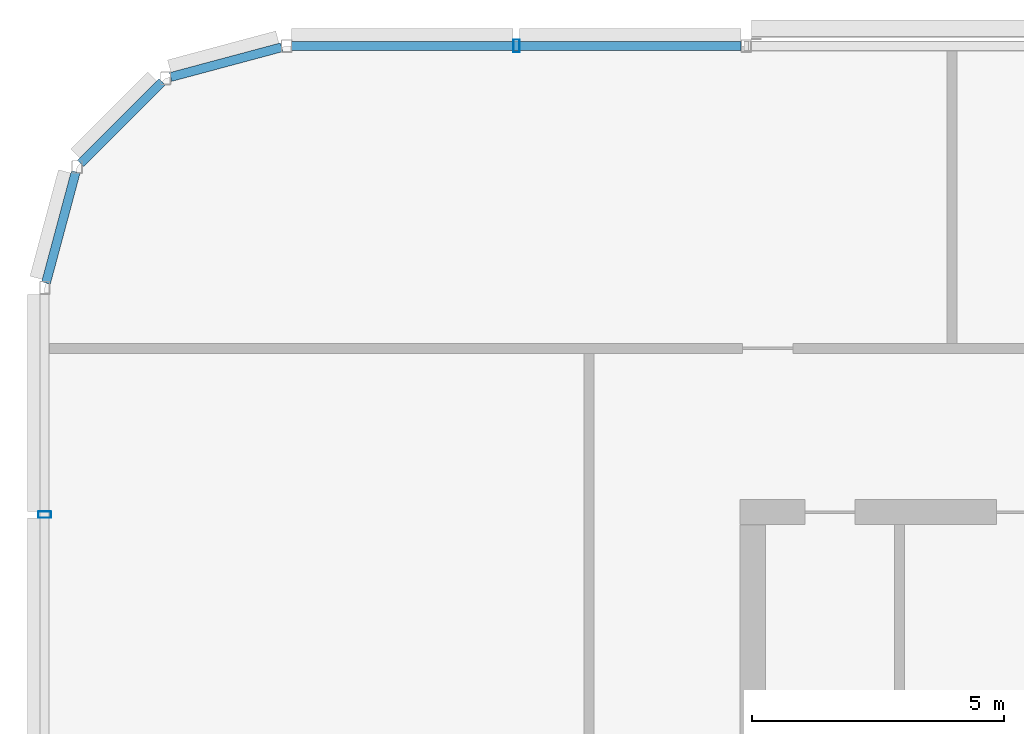
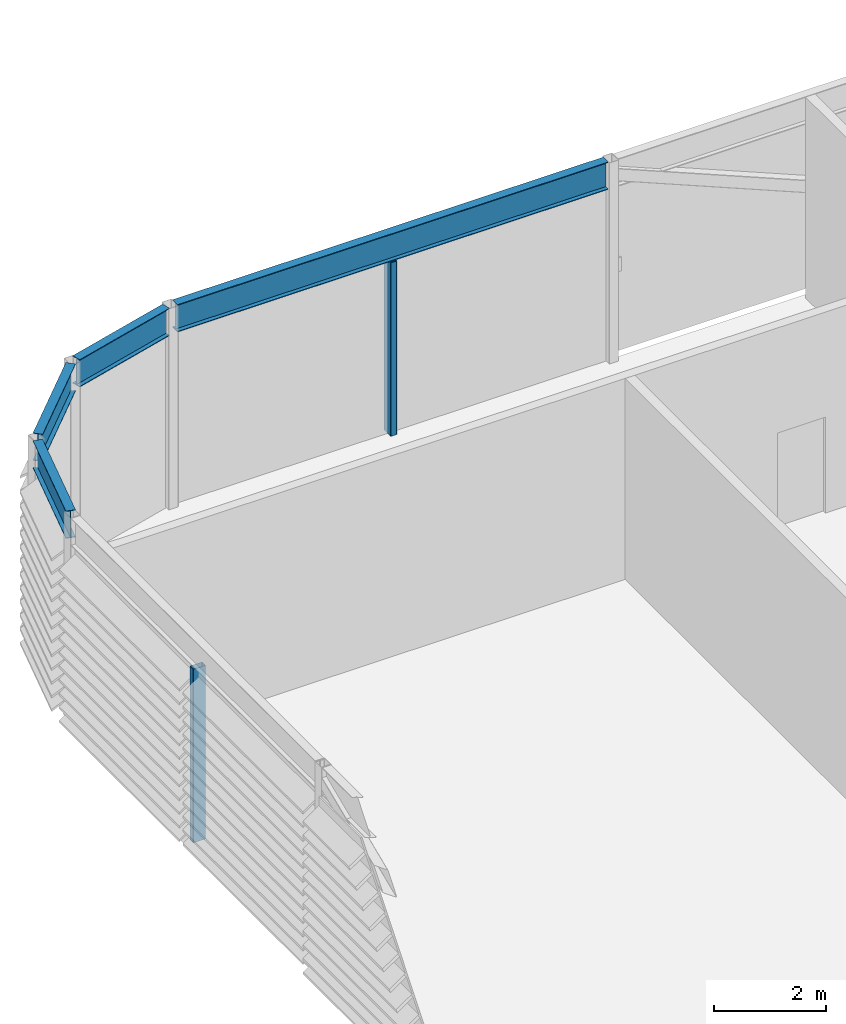
# One storey, part 11 of 27: 4 beams, 2 members.
"""IFC4 building model written with IfcOpenShell, lengths in metres."""

import ifcopenshell
import ifcopenshell.guid

model = None  # the IFC model being written
_history = None  # IfcOwnerHistory: only IFC2X3 demands one
_inside = {}  # id of a spatial element -> (the spatial element, [elements in it])
_under = {}  # id of a project, library or spatial element -> (it, [spatial elements below it])
_declared = {}  # id of a project -> (the project, [libraries it declares])
_typed = {}  # id of a type object -> (the type object, [elements of that type])
_made_of = {}  # id of a material, layer set ... -> (it, [elements and type objects made of it])


def new_model(schema):
    """Start an empty IFC model of exactly this schema.

    Asked for "IFC4X3", IfcOpenShell would pick the latest addendum, in which some entities
    have other attributes; the version numbers below select the first issue.
    IFC2X3 requires an IfcOwnerHistory on every rooted entity: one is made here for all.
    """
    global model, _history
    if schema == "IFC4X3":
        model = ifcopenshell.file(schema_version=(4, 3, 0, 0))
    else:
        model = ifcopenshell.file(schema=schema)
    _inside.clear()
    _under.clear()
    _declared.clear()
    _typed.clear()
    _made_of.clear()
    _history = None
    if model.schema == "IFC2X3":
        org = make("IfcOrganization", Name="unknown")
        user = make(
            "IfcPersonAndOrganization",
            ThePerson=make("IfcPerson", FamilyName="unknown"),
            TheOrganization=org,
        )
        app = make(
            "IfcApplication",
            ApplicationDeveloper=org,
            Version="unknown",
            ApplicationFullName="unknown",
            ApplicationIdentifier="unknown",
        )
        _history = make(
            "IfcOwnerHistory",
            OwningUser=user,
            OwningApplication=app,
            ChangeAction="ADDED",
            CreationDate=0,
        )
    return model


def make(cls, **values):
    """One entity of the class cls with the attributes given. An attribute that is None is left unset."""
    return model.create_entity(
        cls, **{name: value for name, value in values.items() if value is not None}
    )


def rooted(cls, **values):
    """An entity with a GlobalId (a new one), such as an element, a storey or a relation."""
    return make(cls, GlobalId=ifcopenshell.guid.new(), OwnerHistory=_history, **values)


def si_unit(unit_type, name, prefix=None):
    """IfcSIUnit, for example si_unit("LENGTHUNIT", "METRE", prefix="MILLI")."""
    return make("IfcSIUnit", UnitType=unit_type, Prefix=prefix, Name=name)


def assignment(units):
    """IfcUnitAssignment: the units of a project."""
    return None if units is None else make("IfcUnitAssignment", Units=units)


def point(xyz):
    """IfcCartesianPoint."""
    return None if xyz is None else make("IfcCartesianPoint", Coordinates=xyz)


def direction(xyz):
    """IfcDirection."""
    return None if xyz is None else make("IfcDirection", DirectionRatios=xyz)


def frame(location, z_axis=None, x_axis=None):
    """IfcAxis2Placement3D, a coordinate frame: its origin and axes. An axis left out is left unset."""
    return make(
        "IfcAxis2Placement3D",
        Location=point(location),
        Axis=direction(z_axis),
        RefDirection=direction(x_axis),
    )


def frame_2d(location, x_axis=None):
    """IfcAxis2Placement2D, a coordinate frame in the plane: its origin and x axis."""
    return make(
        "IfcAxis2Placement2D", Location=point(location), RefDirection=direction(x_axis)
    )


def origin():
    """The frame at (0, 0, 0) with its axes left unset."""
    return frame((0.0, 0.0, 0.0))


def origin_2d():
    """The frame at (0, 0) in the plane with its x axis left unset."""
    return frame_2d((0.0, 0.0))


def place(relative_to, where):
    """IfcLocalPlacement: puts the frame where relative to a parent placement (None: the world)."""
    return make(
        "IfcLocalPlacement", PlacementRelTo=relative_to, RelativePlacement=where
    )


def context(
    kind, dimensions, precision=None, world=None, true_north=None, identifier=None
):
    """IfcGeometricRepresentationContext, for example the 3D "Model" context."""
    return make(
        "IfcGeometricRepresentationContext",
        ContextIdentifier=identifier,
        ContextType=kind,
        CoordinateSpaceDimension=dimensions,
        Precision=precision,
        WorldCoordinateSystem=world,
        TrueNorth=true_north,
    )


def subcontext(parent, identifier, kind, view, scale=None):
    """IfcGeometricRepresentationSubContext, for example "Body" below "Model"."""
    return make(
        "IfcGeometricRepresentationSubContext",
        ContextIdentifier=identifier,
        ContextType=kind,
        ParentContext=parent,
        TargetScale=scale,
        TargetView=view,
    )


def project(units=None, contexts=None):
    """IfcProject with its units and contexts."""
    return rooted(
        "IfcProject",
        Name="project",
        RepresentationContexts=contexts,
        UnitsInContext=assignment(units),
    )


def spatial(cls, under=None, at=None, **own):
    """A site, building, storey or space (cls), placed at a placement, below another one or the project."""
    s = rooted(cls, ObjectPlacement=at, **own)
    if under is not None:
        _under.setdefault(under.id(), (under, []))[1].append(s)
    return s


def profile(cls, at=None, kind="AREA", **sizes):
    """A parametric profile (cls). Its sizes go by their IFC names, for example OverallWidth=200.0."""
    return make(cls, ProfileType=kind, Position=at, **sizes)


def hollow_rectangle(**sizes):
    """IfcRectangleHollowProfileDef."""
    return profile("IfcRectangleHollowProfileDef", **sizes)


def i_section(**sizes):
    """IfcIShapeProfileDef."""
    return profile("IfcIShapeProfileDef", **sizes)


def extrude(swept, where, along, depth):
    """IfcExtrudedAreaSolid: the profile swept, set in the frame where, extruded along a direction by depth."""
    return make(
        "IfcExtrudedAreaSolid",
        SweptArea=swept,
        Position=where,
        ExtrudedDirection=direction(along),
        Depth=depth,
    )


def shape(context_of_items, identifier, shape_type, items):
    """IfcShapeRepresentation: the items that make up one representation, for example the "Body"."""
    return make(
        "IfcShapeRepresentation",
        ContextOfItems=context_of_items,
        RepresentationIdentifier=identifier,
        RepresentationType=shape_type,
        Items=items,
    )


def material(Name=None, Category=None):
    """IfcMaterial."""
    return make("IfcMaterial", Name=Name, Category=Category)


def material_profile(
    of_material, cross_section, Name=None, Category=None, Priority=None
):
    """IfcMaterialProfile: a cross section and its material."""
    return make(
        "IfcMaterialProfile",
        Name=Name,
        Material=of_material,
        Profile=cross_section,
        Priority=Priority,
        Category=Category,
    )


def profile_set(profiles, Name=None, composite=None):
    """IfcMaterialProfileSet."""
    return make(
        "IfcMaterialProfileSet",
        Name=Name,
        MaterialProfiles=profiles,
        CompositeProfile=composite,
    )


def made_of(thing, what):
    """Note that an element or type object is made of a material, layer set ...; save() writes the relation."""
    if what is not None:
        _made_of.setdefault(what.id(), (what, []))[1].append(thing)
    return thing


def type_object(cls, material=None, **own):
    """A type object (cls), such as IfcWallType, which elements share."""
    return made_of(rooted(cls, **own), material)


def element(
    cls,
    number,
    at=None,
    inside=None,
    cuts=None,
    type_object=None,
    material=None,
    context=None,
    identifier="Body",
    shape_type=None,
    held_by="IfcProductDefinitionShape",
    body=None,
    shapes=None,
    **own,
):
    """One element of the class cls, such as IfcWall. Its Tag is "e" and its number.

    at: its placement. inside: the storey or other place that contains it. cuts: it is an
    opening in that element (IfcRelVoidsElement). A single representation is given by context,
    identifier, shape_type and body (its items); several are given by shapes. held_by: the class
    of the entity that holds the representations. save() writes the other relations.
    """
    e = rooted(cls, Tag="e%d" % number, ObjectPlacement=at, **own)
    if body is not None:
        shapes = [shape(context, identifier, shape_type, body)]
    if shapes is not None:
        e.Representation = make(held_by, Representations=shapes)
    if inside is not None:
        _inside.setdefault(inside.id(), (inside, []))[1].append(e)
    if cuts is not None:
        rooted(
            "IfcRelVoidsElement", RelatingBuildingElement=cuts, RelatedOpeningElement=e
        )
    if type_object is not None:
        _typed.setdefault(type_object.id(), (type_object, []))[1].append(e)
    return made_of(e, material)


def aggregate(whole, parts):
    """IfcRelAggregates: a whole, such as a stair, and the parts it consists of."""
    return rooted("IfcRelAggregates", RelatingObject=whole, RelatedObjects=parts)


def save(model, path):
    """Write the relations noted so far, then the file.

    IfcRelAggregates (storeys below a building ...), IfcRelContainedInSpatialStructure (elements
    in a storey), IfcRelDefinesByType, IfcRelAssociatesMaterial and IfcRelDeclares: one each for
    every whole, place, type object, material and project.
    """
    for whole, parts in _under.values():
        aggregate(whole, parts)
    for where, things in _inside.values():
        rooted(
            "IfcRelContainedInSpatialStructure",
            RelatedElements=things,
            RelatingStructure=where,
        )
    for kind, things in _typed.values():
        rooted("IfcRelDefinesByType", RelatedObjects=things, RelatingType=kind)
    for what, things in _made_of.values():
        rooted("IfcRelAssociatesMaterial", RelatedObjects=things, RelatingMaterial=what)
    for by, libraries in _declared.values():
        rooted("IfcRelDeclares", RelatingContext=by, RelatedDefinitions=libraries)
    model.write(path)


model = new_model("IFC4")

# Units and contexts
model_context = context("Model", 3, precision=1e-05, world=origin(), true_north=direction((0.0, 1.0)))
body_context = subcontext(model_context, "Body", "Model", "MODEL_VIEW")
ifc_project = project(units=[si_unit("LENGTHUNIT", "METRE"), si_unit("AREAUNIT", "SQUARE_METRE"), si_unit("VOLUMEUNIT", "CUBIC_METRE"), si_unit("PLANEANGLEUNIT", "RADIAN"), si_unit("MASSUNIT", "GRAM", prefix="KILO")], contexts=[model_context])

# Site, building, storey
site_placement = place(None, origin())
site = spatial("IfcSite", under=ifc_project, at=site_placement, CompositionType="ELEMENT")
building_placement = place(site_placement, origin())
building = spatial("IfcBuilding", under=site, at=building_placement, Name="Madar Terraces", CompositionType="ELEMENT")
storey_placement = place(building_placement, frame((0.0, 0.0, 301.10009765625)))
storey = spatial("IfcBuildingStorey", under=building, at=storey_placement, Name="L78", CompositionType="ELEMENT", Elevation=301.10009765625)

# Beams
ifc_material_1 = material(Name="Steel ASTM A992 Grade 50", Category="steel")
ifc_material_profile_1 = material_profile(ifc_material_1, i_section(OverallWidth=0.1787109375, OverallDepth=0.60205078125, WebThickness=0.010986328125, FlangeThickness=0.014892578125, at=origin_2d()), Name="W24x62")
ifc_profile_set_1 = profile_set([ifc_material_profile_1], Name="Steel ASTM A992 Grade 50")
beam_type = type_object("IfcBeamType", Name="CF2 W24x62", PredefinedType="BEAM", material=ifc_profile_set_1)
beam_1_placement = place(storey_placement, frame((15.018310546875, 46.800048828125, 4.098876953125), z_axis=(-1.0, 0.0, 0.0), x_axis=(0.0, -1.0, 0.0)))
element("IfcBeam", 1, at=beam_1_placement, inside=storey, type_object=beam_type, Name="Crown frame ring beam CF2", PredefinedType="BEAM", context=body_context, shape_type="SweptSolid", body=[
    extrude(i_section(OverallWidth=0.1787109375, OverallDepth=0.60205078125, WebThickness=0.010986328125, FlangeThickness=0.014892578125, at=origin_2d()), origin(), (0.0, 0.0, 1.0), 8.916748046875),
])
beam_2_placement = place(storey_placement, frame((5.90185546875, 46.773681640625, 4.098876953125), z_axis=(-0.965912700012, -0.258868028067, 0.0), x_axis=(0.258868028067, -0.965912700012, 0.0)))
element("IfcBeam", 2, at=beam_2_placement, inside=storey, type_object=beam_type, Name="Crown frame ring beam CF2", PredefinedType="BEAM", context=body_context, shape_type="SweptSolid", body=[
    extrude(i_section(OverallWidth=0.1787109375, OverallDepth=0.60205078125, WebThickness=0.010986328125, FlangeThickness=0.014892578125, at=origin_2d()), origin(), (0.0, 0.0, 1.0), 2.281494140625),
])
beam_3_placement = place(storey_placement, frame((3.528076171875, 46.0849609375, 4.098876953125), z_axis=(-0.707106781187, -0.707106781187, 0.0), x_axis=(0.707106781187, -0.707106781187, 0.0)))
element("IfcBeam", 3, at=beam_3_placement, inside=storey, type_object=beam_type, Name="Crown frame ring beam CF2", PredefinedType="BEAM", context=body_context, shape_type="SweptSolid", body=[
    extrude(i_section(OverallWidth=0.1787109375, OverallDepth=0.60205078125, WebThickness=0.010986328125, FlangeThickness=0.014892578125, at=origin_2d()), origin(), (0.0, 0.0, 1.0), 2.28125),
])
beam_4_placement = place(storey_placement, frame((1.81689453125, 44.3017578125, 4.098876953125), z_axis=(-0.258868028067, -0.965912700012, 0.0), x_axis=(0.965912700012, -0.258868028067, 0.0)))
element("IfcBeam", 4, at=beam_4_placement, inside=storey, type_object=beam_type, Name="Crown frame ring beam CF2", PredefinedType="BEAM", context=body_context, shape_type="SweptSolid", body=[
    extrude(i_section(OverallWidth=0.1787109375, OverallDepth=0.60205078125, WebThickness=0.010986328125, FlangeThickness=0.014892578125, at=origin_2d()), origin(), (0.0, 0.0, 1.0), 2.281494140625),
])

# Members
ifc_material_2 = material(Name="Steel ASTM A500 Grade C", Category="steel")
ifc_material_profile_2 = material_profile(ifc_material_2, hollow_rectangle(XDim=0.126953125, YDim=0.25390625, WallThickness=0.00634765625, InnerFilletRadius=0.0029296875, OuterFilletRadius=0.0087890625, at=origin_2d()), Name="HSS10x5x.25")
ifc_profile_set_2 = profile_set([ifc_material_profile_2], Name="Steel ASTM A500 Grade C")
member_type = type_object("IfcMemberType", Name="LS2 HSS10x5x.25", PredefinedType="POST", material=ifc_profile_set_2)
for number, where, z_axis, x_axis, name in (
    (5, (10.56005859375, 46.800048828125, 0.0), (0.0, 0.0, 1.0), (-1.0, 0.0, 0.0), "Crown louvre post LS2"),
    (6, (1.199951171875, 37.5, 0.0), (0.0, 0.0, 1.0), (0.0, -1.0, 0.0), "Crown louvre post LS2"),
):
    element("IfcMember", number, at=place(storey_placement, frame(where, z_axis=z_axis, x_axis=x_axis)), inside=storey, type_object=member_type, Name=name, PredefinedType="POST", context=body_context, shape_type="SweptSolid", body=[
        extrude(hollow_rectangle(XDim=0.126953125, YDim=0.25390625, WallThickness=0.00634765625, InnerFilletRadius=0.0029296875, OuterFilletRadius=0.0087890625, at=origin_2d()), origin(), (0.0, 0.0, 1.0), 3.7978515625),
    ])

save(model, "model.ifc")
